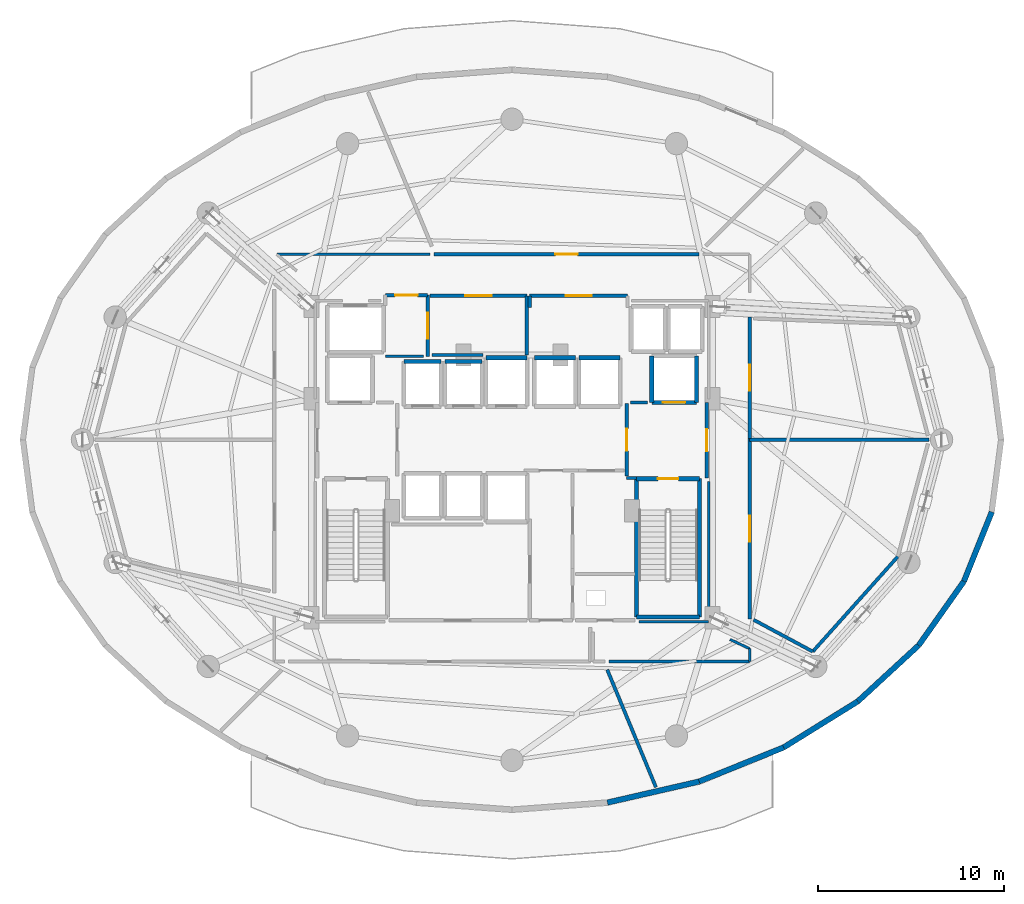
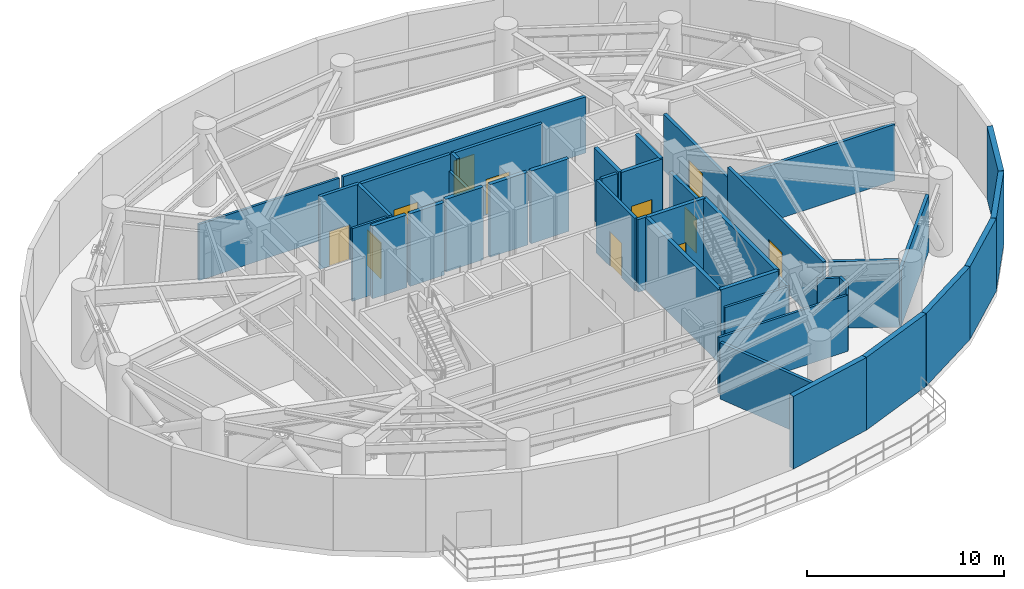
# One storey, part 8 of 10: 43 walls, 11 doors, 11 openings.
"""IFC4 building model written with IfcOpenShell, lengths in metres."""

from ifc_helpers import new_model, si_unit, direction, frame, frame_2d, origin, place, context, subcontext, project, spatial, rectangle, extrude, material, layer, layer_set, type_object, element, fill, save


model = new_model("IFC4")

# Units and contexts
model_context = context("Model", 3, precision=1e-05, world=origin(), true_north=direction((0.0, 1.0)))
body_context = subcontext(model_context, "Body", "Model", "MODEL_VIEW")
ifc_project = project(units=[si_unit("LENGTHUNIT", "METRE"), si_unit("AREAUNIT", "SQUARE_METRE"), si_unit("VOLUMEUNIT", "CUBIC_METRE"), si_unit("PLANEANGLEUNIT", "RADIAN"), si_unit("MASSUNIT", "GRAM", prefix="KILO")], contexts=[model_context])

# Site, building, storey
site_placement = place(None, origin())
site = spatial("IfcSite", under=ifc_project, at=site_placement, CompositionType="ELEMENT")
building_placement = place(site_placement, origin())
building = spatial("IfcBuilding", under=site, at=building_placement, Name="Vorneva Point Tower", CompositionType="ELEMENT")
storey_placement = place(building_placement, frame((0.0, 0.0, 69.5)))
storey = spatial("IfcBuildingStorey", under=building, at=storey_placement, Name="L18", CompositionType="ELEMENT", Elevation=69.5)

# Wall, opening, door
ifc_material_1 = material(Name="Concrete B60 (C50/60)", Category="concrete")
ifc_layer_1 = layer(ifc_material_1, 0.5)
ifc_layer_set_1 = layer_set([ifc_layer_1], Name="Concrete B60 (C50/60)")
wall_type_1 = type_object("IfcWallType", Name="WL-CORE-500", PredefinedType="SHEAR", material=ifc_layer_set_1)
wall_1_placement = place(storey_placement, frame((45.5, 28.0, 0.0), z_axis=(0.0, 0.0, 1.0), x_axis=(1.0, 0.0, 0.0)))
wall_1 = element("IfcWall", 1, at=wall_1_placement, inside=storey, type_object=wall_type_1, Name="L18 Lift FFL2 Shaft Wall -Y", PredefinedType="SHEAR", context=body_context, shape_type="SweptSolid", body=[
    extrude(rectangle(XDim=2.39990234375, YDim=0.219970703125, at=frame_2d((1.199951171875, 0.0))), origin(), (0.0, 0.0, 1.0), 4.5),
])
opening_1_placement = place(wall_1_placement, frame((0.60009765625, 0.0, 0.0)))
opening_1 = element("IfcOpeningElement", 2, at=opening_1_placement, cuts=wall_1, Name="Opening LD-02", PredefinedType="OPENING", context=body_context, shape_type="SweptSolid", body=[
    extrude(rectangle(XDim=1.199951171875, YDim=2.199951171875, at=frame_2d((0.60009765625, 1.10009765625))), frame((0.0, 0.125, 0.0), z_axis=(0.0, -1.0, 0.0), x_axis=(1.0, 0.0, 0.0)), (0.0, 0.0, 1.0), 0.249755859375),
])
ifc_material_2 = material(Name="Brushed stainless steel S304", Category="steel")
door_type_1 = type_object("IfcDoorType", Name="LD-FIRE-1200", OperationType="SLIDING_TO_LEFT", PredefinedType="DOOR", material=ifc_material_2)
door_1_placement = place(opening_1_placement, origin())
door_1 = element("IfcDoor", 3, at=door_1_placement, inside=storey, type_object=door_type_1, Name="L18 Lift FFL2 Sliding Landing Door", OperationType="SLIDING_TO_LEFT", OverallHeight=2.199951171875, OverallWidth=1.199951171875, PredefinedType="DOOR", context=body_context, shape_type="SweptSolid", body=[
    extrude(rectangle(XDim=1.199951171875, YDim=2.199951171875, at=frame_2d((0.60009765625, 1.10009765625))), frame((0.0, 0.02490234375, 0.0), z_axis=(0.0, -1.0, 0.0), x_axis=(1.0, 0.0, 0.0)), (0.0, 0.0, 1.0), 0.050048828125),
])
fill(opening_1, door_1)

# Walls
for number, where, z_axis, x_axis, name in (
    (4, (47.89990234375, 28.0, 0.0), (0.0, 0.0, 1.0), (0.0, 1.0, 0.0), "L18 Lift FFL2 Shaft Wall +X"),
    (5, (45.5, 30.5, 0.0), (0.0, 0.0, 1.0), (0.0, -1.0, 0.0), "L18 Lift FFL2 Shaft Wall -X"),
):
    element("IfcWall", number, at=place(storey_placement, frame(where, z_axis=z_axis, x_axis=x_axis)), inside=storey, type_object=wall_type_1, Name=name, PredefinedType="SHEAR", context=body_context, shape_type="SweptSolid", body=[
        extrude(rectangle(XDim=2.5, YDim=0.219970703125, at=frame_2d((1.25, 0.0))), origin(), (0.0, 0.0, 1.0), 4.5),
    ])
ifc_material_3 = material(Name="Precast concrete B50 (C40/50)", Category="concrete")
ifc_layer_2 = layer(ifc_material_3, 0.300048828125)
ifc_layer_set_2 = layer_set([ifc_layer_2], Name="Precast concrete B50 (C40/50)")
wall_type_2 = type_object("IfcWallType", Name="WL-EXT-300", PredefinedType="STANDARD", material=ifc_layer_set_2)
wall_2_placement = place(storey_placement, frame((43.12109375, 6.531494140625, 0.0), z_axis=(0.0, 0.0, 1.0), x_axis=(0.974693285837, 0.223546412508, 0.0)))
element("IfcWall", 6, at=wall_2_placement, inside=storey, type_object=wall_type_2, Name="L18 Pale-Metal Facade Spandrel Wall 13.2", PredefinedType="STANDARD", context=body_context, shape_type="SweptSolid", body=[
    extrude(rectangle(XDim=5.05224609375, YDim=0.300048828125, at=frame_2d((2.526123046875, 0.0))), origin(), (0.0, 0.0, 1.0), 4.5),
])
wall_3_placement = place(storey_placement, frame((48.04541015625, 7.660888671875, 0.0), z_axis=(0.0, 0.0, 1.0), x_axis=(0.927122233109, 0.374759075775, 0.0)))
element("IfcWall", 7, at=wall_3_placement, inside=storey, type_object=wall_type_2, Name="L18 Pale-Metal Facade Spandrel Wall 14.1", PredefinedType="STANDARD", context=body_context, shape_type="SweptSolid", body=[
    extrude(rectangle(XDim=4.89501953125, YDim=0.300048828125, at=frame_2d((2.447509765625, 0.0))), origin(), (0.0, 0.0, 1.0), 4.5),
])
wall_4_placement = place(storey_placement, frame((52.583740234375, 9.495361328125, 0.0), z_axis=(0.0, 0.0, 1.0), x_axis=(0.849684479743, 0.527291461038, 0.0)))
element("IfcWall", 8, at=wall_4_placement, inside=storey, type_object=wall_type_2, Name="L18 Pale-Metal Facade Spandrel Wall 14.2", PredefinedType="STANDARD", context=body_context, shape_type="SweptSolid", body=[
    extrude(rectangle(XDim=4.681396484375, YDim=0.300048828125, at=frame_2d((2.3408203125, 0.0))), origin(), (0.0, 0.0, 1.0), 4.5),
])
wall_5_placement = place(storey_placement, frame((56.5615234375, 11.9638671875, 0.0), z_axis=(0.0, 0.0, 1.0), x_axis=(0.735416718093, 0.677615119924, 0.0)))
element("IfcWall", 9, at=wall_5_placement, inside=storey, type_object=wall_type_2, Name="L18 Pale-Metal Facade Spandrel Wall 15.1", PredefinedType="STANDARD", context=body_context, shape_type="SweptSolid", body=[
    extrude(rectangle(XDim=4.439208984375, YDim=0.300048828125, at=frame_2d((2.2197265625, 0.0))), origin(), (0.0, 0.0, 1.0), 4.5),
])
wall_6_placement = place(storey_placement, frame((59.826171875, 14.971923828125, 0.0), z_axis=(0.0, 0.0, 1.0), x_axis=(0.57716435238, 0.81662801222, 0.0)))
element("IfcWall", 10, at=wall_6_placement, inside=storey, type_object=wall_type_2, Name="L18 Pale-Metal Facade Spandrel Wall 15.2", PredefinedType="STANDARD", context=body_context, shape_type="SweptSolid", body=[
    extrude(rectangle(XDim=4.202392578125, YDim=0.300048828125, at=frame_2d((2.10107421875, 0.0))), origin(), (0.0, 0.0, 1.0), 4.5),
])
wall_7_placement = place(storey_placement, frame((62.251708984375, 18.40380859375, 0.0), z_axis=(0.0, 0.0, 1.0), x_axis=(0.372345205928, 0.92809430966, 0.0)))
element("IfcWall", 11, at=wall_7_placement, inside=storey, type_object=wall_type_2, Name="L18 Pale-Metal Facade Spandrel Wall 16.1", PredefinedType="STANDARD", context=body_context, shape_type="SweptSolid", body=[
    extrude(rectangle(XDim=4.01220703125, YDim=0.300048828125, at=frame_2d((2.006103515625, 0.0))), origin(), (0.0, 0.0, 1.0), 4.5),
])
ifc_material_4 = material(Name="Fire-rated acoustic gypsum stud partition", Category="gypsum")
ifc_layer_3 = layer(ifc_material_4, 0.139892578125)
ifc_layer_set_3 = layer_set([ifc_layer_3], Name="Fire-rated acoustic gypsum stud partition")
wall_type_3 = type_object("IfcWallType", Name="WL-PART-140", PredefinedType="PARTITIONING", material=ifc_layer_set_3)
wall_8_placement = place(storey_placement, frame((31.199951171875, 30.47998046875, 0.0), z_axis=(0.0, 0.0, 1.0), x_axis=(1.0, 0.0, 0.0)))
element("IfcWall", 12, at=wall_8_placement, inside=storey, type_object=wall_type_3, Name="L18 Interior Closure Partition 036", PredefinedType="PARTITIONING", context=body_context, shape_type="SweptSolid", body=[
    extrude(rectangle(XDim=2.050048828125, YDim=0.139892578125, at=frame_2d((1.02490234375, 0.0))), origin(), (0.0, 0.0, 1.0), 4.5),
])
wall_9_placement = place(storey_placement, frame((48.550048828125, 23.75390625, 0.0), z_axis=(0.0, 0.0, 1.0), x_axis=(0.0, -1.0, 0.0)))
element("IfcWall", 13, at=wall_9_placement, inside=storey, type_object=wall_type_3, Name="L18 Interior Closure Partition 041", PredefinedType="PARTITIONING", context=body_context, shape_type="SweptSolid", body=[
    extrude(rectangle(XDim=7.513916015625, YDim=0.139892578125, at=frame_2d((3.7568359375, 0.0))), origin(), (0.0, 0.0, 1.0), 3.48193359375),
])
wall_10_placement = place(storey_placement, frame((48.550048828125, 16.239990234375, 0.0), z_axis=(0.0, 0.0, 1.0), x_axis=(-1.0, 0.0, 0.0)))
element("IfcWall", 14, at=wall_10_placement, inside=storey, type_object=wall_type_3, Name="L18 Interior Closure Partition 042", PredefinedType="PARTITIONING", context=body_context, shape_type="SweptSolid", body=[
    extrude(rectangle(XDim=3.7451171875, YDim=0.139892578125, at=frame_2d((1.87255859375, 0.0))), origin(), (0.0, 0.0, 1.0), 3.48193359375),
])
wall_11_placement = place(storey_placement, frame((43.214111328125, 14.10009765625, 0.0), z_axis=(0.0, 0.0, 1.0), x_axis=(1.0, 0.0, 0.0)))
element("IfcWall", 15, at=wall_11_placement, inside=storey, type_object=wall_type_3, Name="L18 Interior Closure Partition 043", PredefinedType="PARTITIONING", context=body_context, shape_type="SweptSolid", body=[
    extrude(rectangle(XDim=7.535888671875, YDim=0.139892578125, at=frame_2d((3.76806640625, 0.0))), origin(), (0.0, 0.0, 1.0), 3.48193359375),
])
wall_12_placement = place(storey_placement, frame((50.75, 14.10009765625, 0.0), z_axis=(0.0, 0.0, 1.0), x_axis=(0.0, 1.0, 0.0)))
element("IfcWall", 16, at=wall_12_placement, inside=storey, type_object=wall_type_3, Name="L18 Interior Closure Partition 044", PredefinedType="PARTITIONING", context=body_context, shape_type="SweptSolid", body=[
    extrude(rectangle(XDim=0.68994140625, YDim=0.139892578125, at=frame_2d((0.344970703125, 0.0))), origin(), (0.0, 0.0, 1.0), 4.18896484375),
])
wall_13_placement = place(storey_placement, frame((50.75, 14.7900390625, 0.0), z_axis=(0.0, 0.0, 1.0), x_axis=(-0.90476180298, 0.425917926212, 0.0)))
element("IfcWall", 17, at=wall_13_placement, inside=storey, type_object=wall_type_3, Name="L18 Interior Closure Partition 045", PredefinedType="PARTITIONING", context=body_context, shape_type="SweptSolid", body=[
    extrude(rectangle(XDim=1.1669921875, YDim=0.139892578125, at=frame_2d((0.58349609375, 0.0))), origin(), (0.0, 0.0, 1.0), 4.134033203125),
])
wall_14_placement = place(storey_placement, frame((33.593994140625, 35.949951171875, 0.0), z_axis=(0.0, 0.0, 1.0), x_axis=(-1.0, 0.0, 0.0)))
element("IfcWall", 18, at=wall_14_placement, inside=storey, type_object=wall_type_3, Name="L18 Interior Closure Partition 048", PredefinedType="PARTITIONING", context=body_context, shape_type="SweptSolid", body=[
    extrude(rectangle(XDim=8.215087890625, YDim=0.139892578125, at=frame_2d((4.107421875, 0.0))), origin(), (0.0, 0.0, 1.0), 3.48193359375),
])

# Wall, opening, door
ifc_material_5 = material(Name="Autoclaved aerated concrete blockwork", Category="masonry")
ifc_layer_4 = layer(ifc_material_5, 0.179931640625)
ifc_layer_set_4 = layer_set([ifc_layer_4], Name="Autoclaved aerated concrete blockwork")
wall_type_4 = type_object("IfcWallType", Name="WL-PART-180", PredefinedType="PARTITIONING", material=ifc_layer_set_4)
wall_15_placement = place(storey_placement, frame((44.14990234375, 27.955078125, 0.0), z_axis=(0.0, 0.0, 1.0), x_axis=(0.0, -1.0, 0.0)))
wall_15 = element("IfcWall", 19, at=wall_15_placement, inside=storey, type_object=wall_type_4, Name="L18 Interior Partition 003", PredefinedType="PARTITIONING", context=body_context, shape_type="SweptSolid", body=[
    extrude(rectangle(XDim=3.91015625, YDim=0.179931640625, at=frame_2d((1.955078125, 0.0))), origin(), (0.0, 0.0, 1.0), 4.5),
])
opening_2_placement = place(wall_15_placement, frame((1.35498046875, 0.0, 0.0)))
opening_2 = element("IfcOpeningElement", 20, at=opening_2_placement, cuts=wall_15, Name="Opening FD-02", PredefinedType="OPENING", context=body_context, shape_type="SweptSolid", body=[
    extrude(rectangle(XDim=1.199951171875, YDim=2.14990234375, at=frame_2d((0.60009765625, 1.074951171875))), frame((0.0, 0.10498046875, 0.0), z_axis=(0.0, -1.0, 0.0), x_axis=(1.0, 0.0, 0.0)), (0.0, 0.0, 1.0), 0.209716796875),
])
ifc_material_6 = material(Name="Fire-rated powder-coated steel", Category="steel")
door_type_2 = type_object("IfcDoorType", Name="DR-FFL-1200", OperationType="NOTDEFINED", PredefinedType="DOOR", material=ifc_material_6)
door_2_placement = place(opening_2_placement, origin())
door_2 = element("IfcDoor", 21, at=door_2_placement, inside=storey, type_object=door_type_2, Name="L18 Door East Firefighting Lobby / Central Lift Lobby", OperationType="SINGLE_SWING_RIGHT", OverallHeight=2.14990234375, OverallWidth=1.199951171875, PredefinedType="DOOR", context=body_context, shape_type="SweptSolid", body=[
    extrude(rectangle(XDim=1.199951171875, YDim=2.14990234375, at=frame_2d((0.60009765625, 1.074951171875))), frame((0.0, 0.02490234375, 0.0), z_axis=(0.0, -1.0, 0.0), x_axis=(1.0, 0.0, 0.0)), (0.0, 0.0, 1.0), 0.050048828125),
])
fill(opening_2, door_2)

# Wall
wall_16_placement = place(storey_placement, frame((44.14990234375, 23.949951171875, 0.0), z_axis=(0.0, 0.0, 1.0), x_axis=(1.0, 0.0, 0.0)))
element("IfcWall", 22, at=wall_16_placement, inside=storey, type_object=wall_type_4, Name="L18 Interior Partition 004", PredefinedType="PARTITIONING", context=body_context, shape_type="SweptSolid", body=[
    extrude(rectangle(XDim=0.5400390625, YDim=0.179931640625, at=frame_2d((0.27001953125, 0.0))), origin(), (0.0, 0.0, 1.0), 4.5),
])

# Wall, opening, door
wall_17_placement = place(storey_placement, frame((48.449951171875, 23.949951171875, 0.0), z_axis=(0.0, 0.0, 1.0), x_axis=(0.0, 1.0, 0.0)))
wall_17 = element("IfcWall", 23, at=wall_17_placement, inside=storey, type_object=wall_type_4, Name="L18 Interior Partition 005", PredefinedType="PARTITIONING", context=body_context, shape_type="SweptSolid", body=[
    extrude(rectangle(XDim=4.050048828125, YDim=0.179931640625, at=frame_2d((2.02490234375, 0.0))), origin(), (0.0, 0.0, 1.0), 3.48193359375),
])
opening_3_placement = place(wall_17_placement, frame((1.425048828125, 0.0, 0.0)))
opening_3 = element("IfcOpeningElement", 24, at=opening_3_placement, cuts=wall_17, Name="Opening FD-02", PredefinedType="OPENING", context=body_context, shape_type="SweptSolid", body=[
    extrude(rectangle(XDim=1.199951171875, YDim=2.14990234375, at=frame_2d((0.60009765625, 1.074951171875))), frame((0.0, 0.10498046875, 0.0), z_axis=(0.0, -1.0, 0.0), x_axis=(1.0, 0.0, 0.0)), (0.0, 0.0, 1.0), 0.209716796875),
])
door_3_placement = place(opening_3_placement, origin())
door_3 = element("IfcDoor", 25, at=door_3_placement, inside=storey, type_object=door_type_2, Name="L18 Door East Firefighting Lobby / L18 Refuge and Lift Lobby", OperationType="SINGLE_SWING_LEFT", OverallHeight=2.14990234375, OverallWidth=1.199951171875, PredefinedType="DOOR", context=body_context, shape_type="SweptSolid", body=[
    extrude(rectangle(XDim=1.199951171875, YDim=2.14990234375, at=frame_2d((0.60009765625, 1.074951171875))), frame((0.0, 0.02490234375, 0.0), z_axis=(0.0, -1.0, 0.0), x_axis=(1.0, 0.0, 0.0)), (0.0, 0.0, 1.0), 0.050048828125),
])
fill(opening_3, door_3)

wall_18_placement = place(storey_placement, frame((33.469970703125, 30.47998046875, 0.0), z_axis=(0.0, 0.0, 1.0), x_axis=(0.0, 1.0, 0.0)))
wall_18 = element("IfcWall", 26, at=wall_18_placement, inside=storey, type_object=wall_type_4, Name="L18 Interior Partition 006", PredefinedType="PARTITIONING", context=body_context, shape_type="SweptSolid", body=[
    extrude(rectangle(XDim=3.280029296875, YDim=0.179931640625, at=frame_2d((1.64013671875, 0.0))), origin(), (0.0, 0.0, 1.0), 4.5),
])
opening_4_placement = place(wall_18_placement, frame((0.93994140625, 0.0, 0.0)))
opening_4 = element("IfcOpeningElement", 27, at=opening_4_placement, cuts=wall_18, Name="Opening FD-03", PredefinedType="OPENING", context=body_context, shape_type="SweptSolid", body=[
    extrude(rectangle(XDim=1.39990234375, YDim=2.199951171875, at=frame_2d((0.699951171875, 1.10009765625))), frame((0.0, 0.10498046875, 0.0), z_axis=(0.0, -1.0, 0.0), x_axis=(1.0, 0.0, 0.0)), (0.0, 0.0, 1.0), 0.209716796875),
])
door_type_3 = type_object("IfcDoorType", Name="DR-PLT-1400", OperationType="DOUBLE_SWING_LEFT", PredefinedType="DOOR", material=ifc_material_6)
door_4_placement = place(opening_4_placement, origin())
door_4 = element("IfcDoor", 28, at=door_4_placement, inside=storey, type_object=door_type_3, Name="L18 Door Service Lift Lobby / Core Smoke Extract Plant L18", OperationType="DOUBLE_SWING_LEFT", OverallHeight=2.199951171875, OverallWidth=1.39990234375, PredefinedType="DOOR", context=body_context, shape_type="SweptSolid", body=[
    extrude(rectangle(XDim=1.39990234375, YDim=2.199951171875, at=frame_2d((0.699951171875, 1.10009765625))), frame((0.0, 0.02490234375, 0.0), z_axis=(0.0, -1.0, 0.0), x_axis=(1.0, 0.0, 0.0)), (0.0, 0.0, 1.0), 0.050048828125),
])
fill(opening_4, door_4)

wall_19_placement = place(storey_placement, frame((33.469970703125, 33.760009765625, 0.0), z_axis=(0.0, 0.0, 1.0), x_axis=(-1.0, 0.0, 0.0)))
wall_19 = element("IfcWall", 29, at=wall_19_placement, inside=storey, type_object=wall_type_4, Name="L18 Interior Partition 007", PredefinedType="PARTITIONING", context=body_context, shape_type="SweptSolid", body=[
    extrude(rectangle(XDim=2.27001953125, YDim=0.179931640625, at=frame_2d((1.135009765625, 0.0))), origin(), (0.0, 0.0, 1.0), 4.5),
])
opening_5_placement = place(wall_19_placement, frame((0.534912109375, 0.0, 0.0)))
opening_5 = element("IfcOpeningElement", 30, at=opening_5_placement, cuts=wall_19, Name="Opening FD-02", PredefinedType="OPENING", context=body_context, shape_type="SweptSolid", body=[
    extrude(rectangle(XDim=1.199951171875, YDim=2.14990234375, at=frame_2d((0.60009765625, 1.074951171875))), frame((0.0, 0.10498046875, 0.0), z_axis=(0.0, -1.0, 0.0), x_axis=(1.0, 0.0, 0.0)), (0.0, 0.0, 1.0), 0.209716796875),
])
door_5_placement = place(opening_5_placement, origin())
door_5 = element("IfcDoor", 31, at=door_5_placement, inside=storey, type_object=door_type_2, Name="L18 Door Service Lift Lobby / L18 Refuge and Lift Lobby", OperationType="SINGLE_SWING_RIGHT", OverallHeight=2.14990234375, OverallWidth=1.199951171875, PredefinedType="DOOR", context=body_context, shape_type="SweptSolid", body=[
    extrude(rectangle(XDim=1.199951171875, YDim=2.14990234375, at=frame_2d((0.60009765625, 1.074951171875))), frame((0.0, 0.02490234375, 0.0), z_axis=(0.0, -1.0, 0.0), x_axis=(1.0, 0.0, 0.0)), (0.0, 0.0, 1.0), 0.050048828125),
])
fill(opening_5, door_5)

# Wall
wall_20_placement = place(storey_placement, frame((38.800048828125, 30.550048828125, 0.0), z_axis=(0.0, 0.0, 1.0), x_axis=(0.0, 1.0, 0.0)))
element("IfcWall", 32, at=wall_20_placement, inside=storey, type_object=wall_type_4, Name="L18 Interior Partition 015", PredefinedType="PARTITIONING", context=body_context, shape_type="SweptSolid", body=[
    extrude(rectangle(XDim=3.169921875, YDim=0.179931640625, at=frame_2d((1.5849609375, 0.0))), origin(), (0.0, 0.0, 1.0), 3.48193359375),
])

# Wall, opening, door
wall_21_placement = place(storey_placement, frame((38.800048828125, 33.719970703125, 0.0), z_axis=(0.0, 0.0, 1.0), x_axis=(-1.0, 0.0, 0.0)))
wall_21 = element("IfcWall", 33, at=wall_21_placement, inside=storey, type_object=wall_type_4, Name="L18 Interior Partition 016", PredefinedType="PARTITIONING", context=body_context, shape_type="SweptSolid", body=[
    extrude(rectangle(XDim=5.199951171875, YDim=0.179931640625, at=frame_2d((2.60009765625, 0.0))), origin(), (0.0, 0.0, 1.0), 4.5),
])
opening_6_placement = place(wall_21_placement, frame((1.89990234375, 0.0, 0.0)))
opening_6 = element("IfcOpeningElement", 34, at=opening_6_placement, cuts=wall_21, Name="Opening FD-03", PredefinedType="OPENING", context=body_context, shape_type="SweptSolid", body=[
    extrude(rectangle(XDim=1.39990234375, YDim=2.199951171875, at=frame_2d((0.699951171875, 1.10009765625))), frame((0.0, 0.10498046875, 0.0), z_axis=(0.0, -1.0, 0.0), x_axis=(1.0, 0.0, 0.0)), (0.0, 0.0, 1.0), 0.209716796875),
])
door_6_placement = place(opening_6_placement, origin())
door_6 = element("IfcDoor", 35, at=door_6_placement, inside=storey, type_object=door_type_3, Name="L18 Door Core Smoke Extract Plant L18 / L18 Refuge and Lift Lobby", OperationType="DOUBLE_SWING_LEFT", OverallHeight=2.199951171875, OverallWidth=1.39990234375, PredefinedType="DOOR", context=body_context, shape_type="SweptSolid", body=[
    extrude(rectangle(XDim=1.39990234375, YDim=2.199951171875, at=frame_2d((0.699951171875, 1.10009765625))), frame((0.0, 0.02490234375, 0.0), z_axis=(0.0, -1.0, 0.0), x_axis=(1.0, 0.0, 0.0)), (0.0, 0.0, 1.0), 0.050048828125),
])
fill(opening_6, door_6)

wall_22_placement = place(storey_placement, frame((44.199951171875, 33.719970703125, 0.0), z_axis=(0.0, 0.0, 1.0), x_axis=(-1.0, 0.0, 0.0)))
wall_22 = element("IfcWall", 36, at=wall_22_placement, inside=storey, type_object=wall_type_4, Name="L18 Interior Partition 017", PredefinedType="PARTITIONING", context=body_context, shape_type="SweptSolid", body=[
    extrude(rectangle(XDim=5.25, YDim=0.179931640625, at=frame_2d((2.625, 0.0))), origin(), (0.0, 0.0, 1.0), 4.5),
])
opening_7_placement = place(wall_22_placement, frame((1.925048828125, 0.0, 0.0)))
opening_7 = element("IfcOpeningElement", 37, at=opening_7_placement, cuts=wall_22, Name="Opening FD-03", PredefinedType="OPENING", context=body_context, shape_type="SweptSolid", body=[
    extrude(rectangle(XDim=1.39990234375, YDim=2.199951171875, at=frame_2d((0.699951171875, 1.10009765625))), frame((0.0, 0.10498046875, 0.0), z_axis=(0.0, -1.0, 0.0), x_axis=(1.0, 0.0, 0.0)), (0.0, 0.0, 1.0), 0.209716796875),
])
door_7_placement = place(opening_7_placement, origin())
door_7 = element("IfcDoor", 38, at=door_7_placement, inside=storey, type_object=door_type_3, Name="L18 Door Core Electrical Switchgear Room L18 / L18 Refuge and Lift Lobby", OperationType="DOUBLE_SWING_LEFT", OverallHeight=2.199951171875, OverallWidth=1.39990234375, PredefinedType="DOOR", context=body_context, shape_type="SweptSolid", body=[
    extrude(rectangle(XDim=1.39990234375, YDim=2.199951171875, at=frame_2d((0.699951171875, 1.10009765625))), frame((0.0, 0.02490234375, 0.0), z_axis=(0.0, -1.0, 0.0), x_axis=(1.0, 0.0, 0.0)), (0.0, 0.0, 1.0), 0.050048828125),
])
fill(opening_7, door_7)

# Wall
wall_23_placement = place(storey_placement, frame((38.949951171875, 33.719970703125, 0.0), z_axis=(0.0, 0.0, 1.0), x_axis=(0.0, -1.0, 0.0)))
element("IfcWall", 39, at=wall_23_placement, inside=storey, type_object=wall_type_4, Name="L18 Interior Partition 018", PredefinedType="PARTITIONING", context=body_context, shape_type="SweptSolid", body=[
    extrude(rectangle(XDim=0.60986328125, YDim=0.179931640625, at=frame_2d((0.304931640625, 0.0))), origin(), (0.0, 0.0, 1.0), 4.5),
])

# Wall, opening, door
wall_24_placement = place(storey_placement, frame((48.034912109375, 35.949951171875, 0.0), z_axis=(0.0, 0.0, 1.0), x_axis=(-1.0, 0.0, 0.0)))
wall_24 = element("IfcWall", 40, at=wall_24_placement, inside=storey, type_object=wall_type_4, Name="L18 Interior Partition 023", PredefinedType="PARTITIONING", context=body_context, shape_type="SweptSolid", body=[
    extrude(rectangle(XDim=14.220947265625, YDim=0.179931640625, at=frame_2d((7.1103515625, 0.0))), origin(), (0.0, 0.0, 1.0), 3.48193359375),
])
opening_8_placement = place(wall_24_placement, frame((6.510498046875, 0.0, 0.0)))
opening_8 = element("IfcOpeningElement", 41, at=opening_8_placement, cuts=wall_24, Name="Opening FD-02", PredefinedType="OPENING", context=body_context, shape_type="SweptSolid", body=[
    extrude(rectangle(XDim=1.199951171875, YDim=2.14990234375, at=frame_2d((0.60009765625, 1.074951171875))), frame((0.0, 0.10498046875, 0.0), z_axis=(0.0, -1.0, 0.0), x_axis=(1.0, 0.0, 0.0)), (0.0, 0.0, 1.0), 0.209716796875),
])
door_8_placement = place(opening_8_placement, origin())
door_8 = element("IfcDoor", 42, at=door_8_placement, inside=storey, type_object=door_type_2, Name="L18 Door L18 Refuge and Lift Lobby / Refuge Area North L18", OperationType="SINGLE_SWING_LEFT", OverallHeight=2.14990234375, OverallWidth=1.199951171875, PredefinedType="DOOR", context=body_context, shape_type="SweptSolid", body=[
    extrude(rectangle(XDim=1.199951171875, YDim=2.14990234375, at=frame_2d((0.60009765625, 1.074951171875))), frame((0.0, 0.02490234375, 0.0), z_axis=(0.0, -1.0, 0.0), x_axis=(1.0, 0.0, 0.0)), (0.0, 0.0, 1.0), 0.050048828125),
])
fill(opening_8, door_8)

wall_25_placement = place(storey_placement, frame((50.75, 16.385986328125, 0.0), z_axis=(0.0, 0.0, 1.0), x_axis=(0.0, 1.0, 0.0)))
wall_25 = element("IfcWall", 43, at=wall_25_placement, inside=storey, type_object=wall_type_4, Name="L18 Interior Partition 030", PredefinedType="PARTITIONING", context=body_context, shape_type="SweptSolid", body=[
    extrude(rectangle(XDim=9.674072265625, YDim=0.179931640625, at=frame_2d((4.8369140625, 0.0))), origin(), (0.0, 0.0, 1.0), 4.134033203125),
])
opening_9_placement = place(wall_25_placement, frame((4.136962890625, 0.0, 0.0)))
opening_9 = element("IfcOpeningElement", 44, at=opening_9_placement, cuts=wall_25, Name="Opening FD-03", PredefinedType="OPENING", context=body_context, shape_type="SweptSolid", body=[
    extrude(rectangle(XDim=1.39990234375, YDim=2.199951171875, at=frame_2d((0.699951171875, 1.10009765625))), frame((0.0, 0.10498046875, 0.0), z_axis=(0.0, -1.0, 0.0), x_axis=(1.0, 0.0, 0.0)), (0.0, 0.0, 1.0), 0.209716796875),
])
door_9_placement = place(opening_9_placement, origin())
door_9 = element("IfcDoor", 45, at=door_9_placement, inside=storey, type_object=door_type_3, Name="L18 Door L18 Refuge and Lift Lobby / Air Handling Plant Room L18", OperationType="DOUBLE_SWING_LEFT", OverallHeight=2.199951171875, OverallWidth=1.39990234375, PredefinedType="DOOR", context=body_context, shape_type="SweptSolid", body=[
    extrude(rectangle(XDim=1.39990234375, YDim=2.199951171875, at=frame_2d((0.699951171875, 1.10009765625))), frame((0.0, 0.02490234375, 0.0), z_axis=(0.0, -1.0, 0.0), x_axis=(1.0, 0.0, 0.0)), (0.0, 0.0, 1.0), 0.050048828125),
])
fill(opening_9, door_9)

wall_26_placement = place(storey_placement, frame((50.75, 26.06005859375, 0.0), z_axis=(0.0, 0.0, 1.0), x_axis=(0.0, 1.0, 0.0)))
wall_26 = element("IfcWall", 46, at=wall_26_placement, inside=storey, type_object=wall_type_4, Name="L18 Interior Partition 031", PredefinedType="PARTITIONING", context=body_context, shape_type="SweptSolid", body=[
    extrude(rectangle(XDim=6.52001953125, YDim=0.179931640625, at=frame_2d((3.260009765625, 0.0))), origin(), (0.0, 0.0, 1.0), 3.48193359375),
])
opening_10_placement = place(wall_26_placement, frame((2.56005859375, 0.0, 0.0)))
opening_10 = element("IfcOpeningElement", 47, at=opening_10_placement, cuts=wall_26, Name="Opening FD-03", PredefinedType="OPENING", context=body_context, shape_type="SweptSolid", body=[
    extrude(rectangle(XDim=1.39990234375, YDim=2.199951171875, at=frame_2d((0.699951171875, 1.10009765625))), frame((0.0, 0.10498046875, 0.0), z_axis=(0.0, -1.0, 0.0), x_axis=(1.0, 0.0, 0.0)), (0.0, 0.0, 1.0), 0.209716796875),
])
door_10_placement = place(opening_10_placement, origin())
door_10 = element("IfcDoor", 48, at=door_10_placement, inside=storey, type_object=door_type_3, Name="L18 Door L18 Refuge and Lift Lobby / Electrical Switchgear Room L18", OperationType="DOUBLE_SWING_LEFT", OverallHeight=2.199951171875, OverallWidth=1.39990234375, PredefinedType="DOOR", context=body_context, shape_type="SweptSolid", body=[
    extrude(rectangle(XDim=1.39990234375, YDim=2.199951171875, at=frame_2d((0.699951171875, 1.10009765625))), frame((0.0, 0.02490234375, 0.0), z_axis=(0.0, -1.0, 0.0), x_axis=(1.0, 0.0, 0.0)), (0.0, 0.0, 1.0), 0.050048828125),
])
fill(opening_10, door_10)

# Walls
wall_27_placement = place(storey_placement, frame((60.376953125, 26.0, 0.0), z_axis=(0.0, 0.0, 1.0), x_axis=(-1.0, 0.0, 0.0)))
element("IfcWall", 49, at=wall_27_placement, inside=storey, type_object=wall_type_4, Name="L18 Interior Partition 033", PredefinedType="PARTITIONING", context=body_context, shape_type="SweptSolid", body=[
    extrude(rectangle(XDim=9.626953125, YDim=0.179931640625, at=frame_2d((4.8134765625, 0.0))), origin(), (0.0, 0.0, 1.0), 3.48193359375),
])
wall_28_placement = place(storey_placement, frame((45.280029296875, 28.0, 0.0), z_axis=(0.0, 0.0, 1.0), x_axis=(-1.0, 0.0, 0.0)))
element("IfcWall", 50, at=wall_28_placement, inside=storey, type_object=wall_type_4, Name="L18 Interior Closure Partition 035", PredefinedType="PARTITIONING", context=body_context, shape_type="SweptSolid", body=[
    extrude(rectangle(XDim=0.9150390625, YDim=0.179931640625, at=frame_2d((0.45751953125, 0.0))), origin(), (0.0, 0.0, 1.0), 4.5),
])
wall_29_placement = place(storey_placement, frame((33.694091796875, 30.550048828125, 0.0), z_axis=(0.0, 0.0, 1.0), x_axis=(1.0, 0.0, 0.0)))
element("IfcWall", 51, at=wall_29_placement, inside=storey, type_object=wall_type_4, Name="L18 Interior Closure Partition 037", PredefinedType="PARTITIONING", context=body_context, shape_type="SweptSolid", body=[
    extrude(rectangle(XDim=2.744873046875, YDim=0.179931640625, at=frame_2d((1.37255859375, 0.0))), origin(), (0.0, 0.0, 1.0), 3.48193359375),
])
wall_30_placement = place(storey_placement, frame((45.722900390625, 7.35400390625, 0.0), z_axis=(0.0, 0.0, 1.0), x_axis=(-0.382619137209, 0.923906161816, 0.0)))
element("IfcWall", 52, at=wall_30_placement, inside=storey, type_object=wall_type_4, Name="L18 Interior Closure Partition 067", PredefinedType="PARTITIONING", context=body_context, shape_type="SweptSolid", body=[
    extrude(rectangle(XDim=6.82861328125, YDim=0.179931640625, at=frame_2d((3.414306640625, 0.0))), origin(), (0.0, 0.0, 1.0), 3.48193359375),
])
wall_31_placement = place(storey_placement, frame((50.965087890625, 16.339111328125, 0.0), z_axis=(0.0, 0.0, 1.0), x_axis=(0.880923283176, -0.473259093054, 0.0)))
element("IfcWall", 53, at=wall_31_placement, inside=storey, type_object=wall_type_4, Name="L18 Interior Closure Partition 068", PredefinedType="PARTITIONING", context=body_context, shape_type="SweptSolid", body=[
    extrude(rectangle(XDim=3.602783203125, YDim=0.179931640625, at=frame_2d((1.80126953125, 0.0))), origin(), (0.0, 0.0, 1.0), 4.134033203125),
])
wall_32_placement = place(storey_placement, frame((54.138916015625, 14.634033203125, 0.0), z_axis=(0.0, 0.0, 1.0), x_axis=(0.667048046009, 0.745014700738, 0.0)))
element("IfcWall", 54, at=wall_32_placement, inside=storey, type_object=wall_type_4, Name="L18 Interior Closure Partition 069", PredefinedType="PARTITIONING", context=body_context, shape_type="SweptSolid", body=[
    extrude(rectangle(XDim=6.84814453125, YDim=0.179931640625, at=frame_2d((3.424072265625, 0.0))), origin(), (0.0, 0.0, 1.0), 3.48193359375),
])

# Wall, opening, door
ifc_material_7 = material(Name="Concrete B50 (C40/50)", Category="concrete")
ifc_layer_5 = layer(ifc_material_7, 0.219970703125)
ifc_layer_set_5 = layer_set([ifc_layer_5], Name="Concrete B50 (C40/50)")
wall_type_5 = type_object("IfcWallType", Name="WL-SHFT-220", PredefinedType="SOLIDWALL", material=ifc_layer_set_5)
wall_33_placement = place(storey_placement, frame((44.68994140625, 23.909912109375, 0.0), z_axis=(0.0, 0.0, 1.0), x_axis=(1.0, 0.0, 0.0)))
wall_33 = element("IfcWall", 55, at=wall_33_placement, inside=storey, type_object=wall_type_5, Name="L18 Exit Stair ST2 Shaft Wall near", PredefinedType="SOLIDWALL", context=body_context, shape_type="SweptSolid", body=[
    extrude(rectangle(XDim=3.3701171875, YDim=0.219970703125, at=frame_2d((1.68505859375, 0.0))), origin(), (0.0, 0.0, 1.0), 4.5),
])
opening_11_placement = place(wall_33_placement, frame((1.135009765625, 0.0, 0.0)))
opening_11 = element("IfcOpeningElement", 56, at=opening_11_placement, cuts=wall_33, Name="Opening FD-01", PredefinedType="OPENING", context=body_context, shape_type="SweptSolid", body=[
    extrude(rectangle(XDim=1.10009765625, YDim=2.14990234375, at=frame_2d((0.550048828125, 1.074951171875))), frame((0.0, 0.125, 0.0), z_axis=(0.0, -1.0, 0.0), x_axis=(1.0, 0.0, 0.0)), (0.0, 0.0, 1.0), 0.249755859375),
])
door_type_4 = type_object("IfcDoorType", Name="DR-STAIR-1100", OperationType="NOTDEFINED", PredefinedType="DOOR", material=ifc_material_6)
door_11_placement = place(opening_11_placement, origin())
door_11 = element("IfcDoor", 57, at=door_11_placement, inside=storey, type_object=door_type_4, Name="L18 Exit Stair ST2 Fire Door", OperationType="SINGLE_SWING_LEFT", OverallHeight=2.14990234375, OverallWidth=1.10009765625, PredefinedType="DOOR", context=body_context, shape_type="SweptSolid", body=[
    extrude(rectangle(XDim=1.10009765625, YDim=2.14990234375, at=frame_2d((0.550048828125, 1.074951171875))), frame((0.0, 0.02490234375, 0.0), z_axis=(0.0, -1.0, 0.0), x_axis=(1.0, 0.0, 0.0)), (0.0, 0.0, 1.0), 0.050048828125),
])
fill(opening_11, door_11)

# Walls
wall_34_placement = place(storey_placement, frame((48.06005859375, 23.909912109375, 0.0), z_axis=(0.0, 0.0, 1.0), x_axis=(0.0, -1.0, 0.0)))
element("IfcWall", 58, at=wall_34_placement, inside=storey, type_object=wall_type_5, Name="L18 Exit Stair ST2 Shaft Wall right", PredefinedType="SOLIDWALL", context=body_context, shape_type="SweptSolid", body=[
    extrude(rectangle(XDim=7.419921875, YDim=0.219970703125, at=frame_2d((3.7099609375, 0.0))), origin(), (0.0, 0.0, 1.0), 4.5),
])
wall_35_placement = place(storey_placement, frame((48.06005859375, 16.489990234375, 0.0), z_axis=(0.0, 0.0, 1.0), x_axis=(-1.0, 0.0, 0.0)))
element("IfcWall", 59, at=wall_35_placement, inside=storey, type_object=wall_type_5, Name="L18 Exit Stair ST2 Shaft Wall far", PredefinedType="SOLIDWALL", context=body_context, shape_type="SweptSolid", body=[
    extrude(rectangle(XDim=3.3701171875, YDim=0.219970703125, at=frame_2d((1.68505859375, 0.0))), origin(), (0.0, 0.0, 1.0), 4.5),
])
wall_36_placement = place(storey_placement, frame((44.68994140625, 16.489990234375, 0.0), z_axis=(0.0, 0.0, 1.0), x_axis=(0.0, 1.0, 0.0)))
element("IfcWall", 60, at=wall_36_placement, inside=storey, type_object=wall_type_5, Name="L18 Exit Stair ST2 Shaft Wall left", PredefinedType="SOLIDWALL", context=body_context, shape_type="SweptSolid", body=[
    extrude(rectangle(XDim=7.419921875, YDim=0.219970703125, at=frame_2d((3.7099609375, 0.0))), origin(), (0.0, 0.0, 1.0), 4.5),
])
for number, where, z_axis, x_axis, name in (
    (61, (34.199951171875, 30.199951171875, 0.0), (0.0, 0.0, 1.0), (-1.0, 0.0, 0.0), "L18 Lift PL1 Shaft Wall +Y"),
    (62, (36.39990234375, 30.199951171875, 0.0), (0.0, 0.0, 1.0), (-1.0, 0.0, 0.0), "L18 Lift PL2 Shaft Wall +Y"),
):
    element("IfcWall", number, at=place(storey_placement, frame(where, z_axis=z_axis, x_axis=x_axis)), inside=storey, type_object=wall_type_5, Name=name, PredefinedType="SOLIDWALL", context=body_context, shape_type="SweptSolid", body=[
        extrude(rectangle(XDim=2.0, YDim=0.219970703125, at=frame_2d((1.0, 0.0))), origin(), (0.0, 0.0, 1.0), 4.5),
    ])
for number, where, z_axis, x_axis, name in (
    (63, (38.800048828125, 30.39990234375, 0.0), (0.0, 0.0, 1.0), (-1.0, 0.0, 0.0), "L18 Lift PL3 Shaft Wall +Y"),
    (64, (41.39990234375, 30.39990234375, 0.0), (0.0, 0.0, 1.0), (-1.0, 0.0, 0.0), "L18 Lift PL7 Shaft Wall +Y"),
    (65, (43.800048828125, 30.39990234375, 0.0), (0.0, 0.0, 1.0), (-1.0, 0.0, 0.0), "L18 Lift PL8 Shaft Wall +Y"),
):
    element("IfcWall", number, at=place(storey_placement, frame(where, z_axis=z_axis, x_axis=x_axis)), inside=storey, type_object=wall_type_5, Name=name, PredefinedType="SOLIDWALL", context=body_context, shape_type="SweptSolid", body=[
        extrude(rectangle(XDim=2.199951171875, YDim=0.219970703125, at=frame_2d((1.10009765625, 0.0))), origin(), (0.0, 0.0, 1.0), 4.5),
    ])

save(model, "model.ifc")
